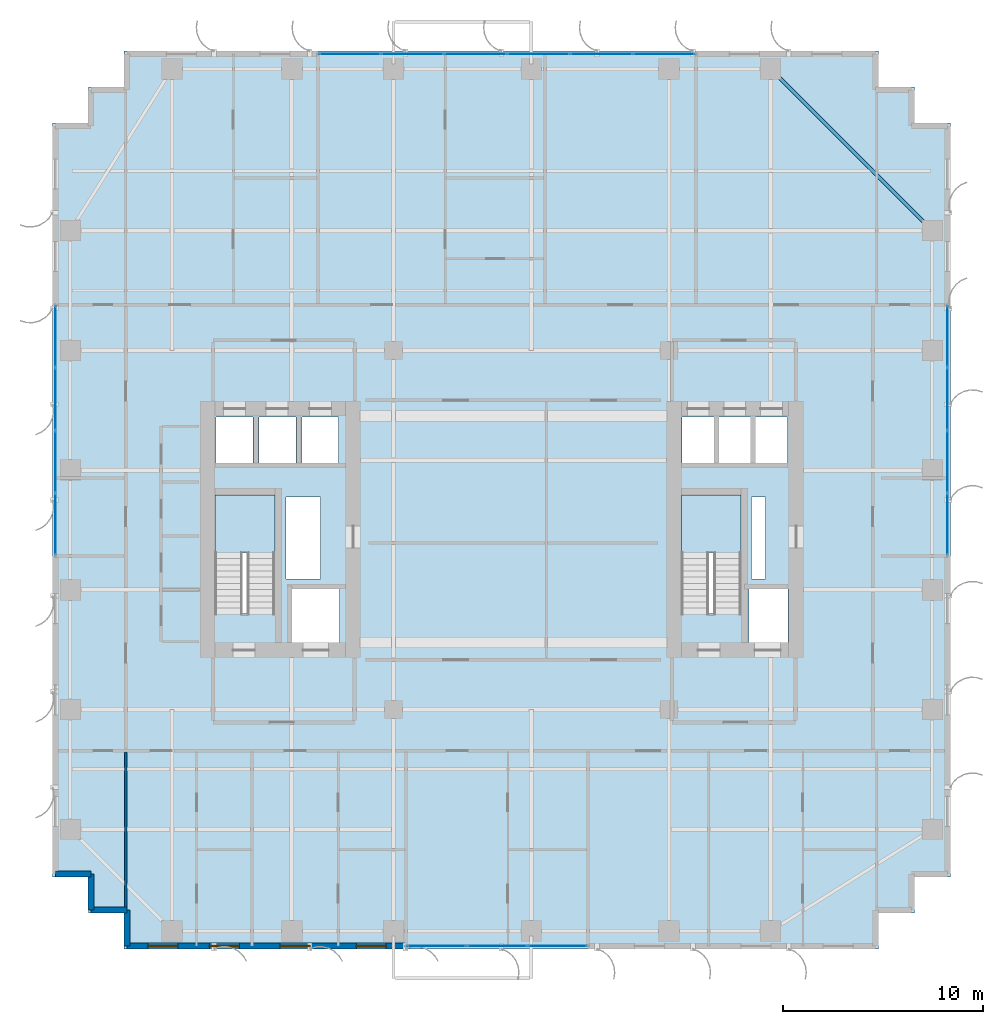
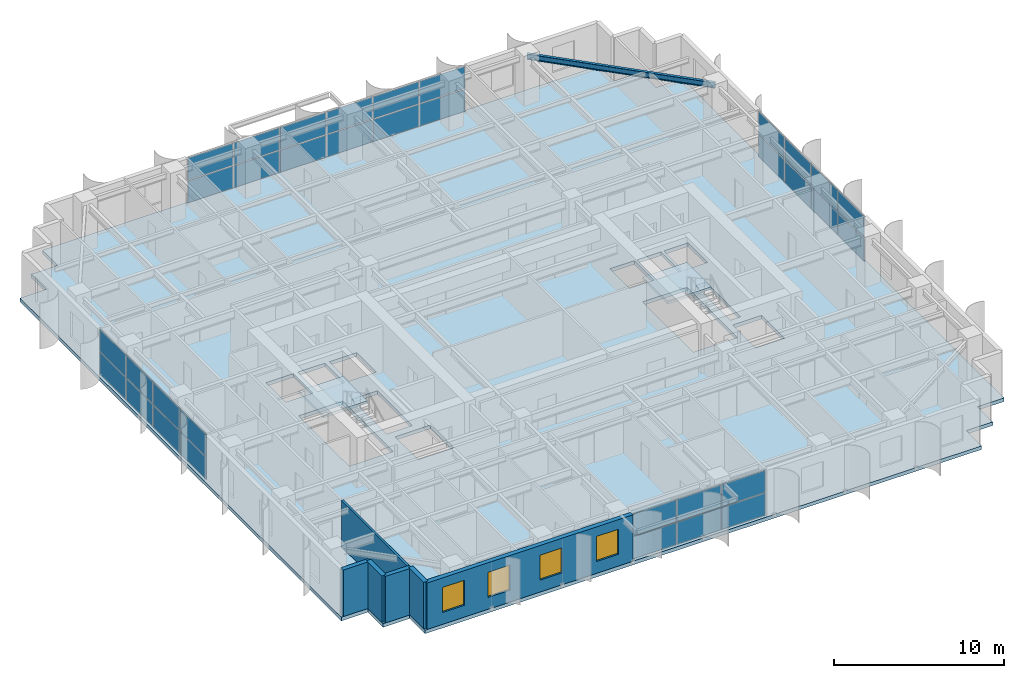
# One storey, part 17 of 25: 34 plates, 6 walls, 4 windows, 3 slabs, 1 beam, 4 openings, 6 elements without a shape of their own.
"""IFC4 building model written with IfcOpenShell, lengths in metres."""

from ifc_helpers import new_model, si_unit, direction, frame, frame_2d, origin, origin_2d, place, context, subcontext, project, spatial, polyline, rectangle, i_section, outline, extrude, source, transform, mapped, material, layer, layer_set, material_profile, profile_set, type_object, element, fill, aggregate, save


model = new_model("IFC4")

# Units and contexts
model_context = context("Model", 3, precision=1e-05, world=origin(), true_north=direction((0.0, 1.0)))
body_context = subcontext(model_context, "Body", "Model", "MODEL_VIEW")
ifc_project = project(units=[si_unit("LENGTHUNIT", "METRE"), si_unit("AREAUNIT", "SQUARE_METRE"), si_unit("VOLUMEUNIT", "CUBIC_METRE"), si_unit("PLANEANGLEUNIT", "RADIAN"), si_unit("MASSUNIT", "GRAM", prefix="KILO")], contexts=[model_context])

# Site, building, storey
site_placement = place(None, origin())
site = spatial("IfcSite", under=ifc_project, at=site_placement, CompositionType="ELEMENT")
building_placement = place(site_placement, origin())
building = spatial("IfcBuilding", under=site, at=building_placement, Name="Khoralis Quay Care Tower", CompositionType="ELEMENT")
storey_placement = place(building_placement, frame((0.0, 0.0, 134.10009765625)))
storey = spatial("IfcBuildingStorey", under=building, at=storey_placement, Name="L35", CompositionType="ELEMENT", Elevation=134.10009765625)

# Beam
ifc_material_1 = material(Name="Steel S355", Category="steel")
ifc_material_profile = material_profile(ifc_material_1, i_section(OverallWidth=0.179931640625, OverallDepth=0.39990234375, WebThickness=0.008544921875, FlangeThickness=0.013427734375, FilletRadius=0.02099609375, at=origin_2d()), Name="Steel S355")
ifc_profile_set = profile_set([ifc_material_profile], Name="Steel S355")
beam_type = type_object("IfcBeamType", Name="BM-IPE400", PredefinedType="SPANDREL", material=ifc_profile_set)
shared_shape_1 = source(origin(), body_context, "Body", "SweptSolid", [
    extrude(i_section(OverallWidth=0.179931640625, OverallDepth=0.39990234375, WebThickness=0.008544921875, FlangeThickness=0.013427734375, FilletRadius=0.02099609375, at=origin_2d()), origin(), (0.0, 0.0, 1.0), 11.455322265625),
])
beam_placement = place(storey_placement, frame((36.0, 44.10009765625, 3.139892578125), z_axis=(0.707106781187, -0.707106781187, 0.0), x_axis=(0.707106781187, 0.707106781187, 0.0)))
element("IfcBeam", 1, at=beam_placement, inside=storey, type_object=beam_type, Name="BM-TCR-L35-24", PredefinedType="SPANDREL", context=body_context, shape_type="MappedRepresentation", body=[
    mapped(shared_shape_1, transform((0.0, 0.0, 0.0), scale=1.0)),
])

# Stair, slab
ifc_material_2 = material(Name="Precast concrete C45/55", Category="concrete")
stair_type = type_object("IfcStairType", Name="ST-TWR-DOGLEG-1400", PredefinedType="HALF_TURN_STAIR", material=ifc_material_2)
stair_1_placement = place(storey_placement, origin())
stair_1 = element("IfcStair", 2, at=stair_1_placement, inside=storey, type_object=stair_type, Name="L35 West Core Exit Stair ST-T1", PredefinedType="HALF_TURN_STAIR")
ifc_layer_1 = layer(ifc_material_2, 0.199951171875)
ifc_layer_set_1 = layer_set([ifc_layer_1], Name="Precast concrete C45/55")
slab_type_1 = type_object("IfcSlabType", Name="SLB-LANDING-200", PredefinedType="LANDING", material=ifc_layer_set_1)
slab_1_placement = place(storey_placement, frame((0.0, 0.0, 1.599853515625)))
slab_1 = element("IfcSlab", 3, at=slab_1_placement, type_object=slab_type_1, Name="ST-T1 landing 1", PredefinedType="LANDING", context=body_context, shape_type="SweptSolid", body=[
    extrude(outline(polyline([(11.14990234375, 19.840087890625), (11.14990234375, 22.75), (8.14990234375, 22.75), (8.14990234375, 19.840087890625), (11.14990234375, 19.840087890625)])), origin(), (0.0, 0.0, 1.0), 0.199951171875),
])
aggregate(stair_1, [slab_1])

stair_2_placement = place(storey_placement, origin())
stair_2 = element("IfcStair", 4, at=stair_2_placement, inside=storey, type_object=stair_type, Name="L35 East Core Exit Stair ST-T2", PredefinedType="HALF_TURN_STAIR")
slab_2_placement = place(storey_placement, frame((0.0, 0.0, 1.599853515625)))
slab_2 = element("IfcSlab", 5, at=slab_2_placement, type_object=slab_type_1, Name="ST-T2 landing 1", PredefinedType="LANDING", context=body_context, shape_type="SweptSolid", body=[
    extrude(outline(polyline([(34.52001953125, 19.840087890625), (34.52001953125, 22.75), (31.52001953125, 22.75), (31.52001953125, 19.840087890625), (34.52001953125, 19.840087890625)])), origin(), (0.0, 0.0, 1.0), 0.199951171875),
])
aggregate(stair_2, [slab_2])

# Slab
ifc_material_3 = material(Name="Concrete C40/50", Category="concrete")
ifc_layer_2 = layer(ifc_material_3, 0.260009765625)
ifc_layer_set_2 = layer_set([ifc_layer_2], Name="Concrete C40/50")
slab_type_2 = type_object("IfcSlabType", Name="SLB-TWR-260", PredefinedType="FLOOR", material=ifc_layer_set_2)
slab_3_placement = place(storey_placement, frame((0.0, 0.0, -0.260009765625)))
element("IfcSlab", 6, at=slab_3_placement, inside=storey, type_object=slab_type_2, Name="Tower Floor Slab L35", PredefinedType="FLOOR", context=body_context, shape_type="SweptSolid", body=[
    extrude(outline(polyline([(3.60009765625, 0.0), (41.39990234375, 0.0), (41.39990234375, 1.800048828125), (43.199951171875, 1.800048828125), (43.199951171875, 3.60009765625), (45.0, 3.60009765625), (45.0, 41.39990234375), (43.199951171875, 41.39990234375), (43.199951171875, 43.199951171875), (41.39990234375, 43.199951171875), (41.39990234375, 45.0), (3.60009765625, 45.0), (3.60009765625, 43.199951171875), (1.800048828125, 43.199951171875), (1.800048828125, 41.39990234375), (0.0, 41.39990234375), (0.0, 3.60009765625), (1.800048828125, 3.60009765625), (1.800048828125, 1.800048828125), (3.60009765625, 1.800048828125), (3.60009765625, 0.0)]), holes=[polyline([(11.14990234375, 16.800048828125), (11.14990234375, 22.75), (8.14990234375, 22.75), (8.14990234375, 16.800048828125), (11.14990234375, 16.800048828125)]), polyline([(34.52001953125, 16.800048828125), (34.52001953125, 22.75), (31.52001953125, 22.75), (31.52001953125, 16.800048828125), (34.52001953125, 16.800048828125)]), polyline([(12.0, 15.35009765625), (14.39990234375, 15.35009765625), (14.39990234375, 18.050048828125), (12.0, 18.050048828125), (12.0, 15.35009765625)]), polyline([(34.919921875, 15.35009765625), (36.8798828125, 15.35009765625), (36.8798828125, 18.050048828125), (34.919921875, 18.050048828125), (34.919921875, 15.35009765625)]), polyline([(8.199951171875, 24.35009765625), (10.050048828125, 24.35009765625), (10.050048828125, 26.64990234375), (8.199951171875, 26.64990234375), (8.199951171875, 24.35009765625)]), polyline([(31.550048828125, 24.35009765625), (33.199951171875, 24.35009765625), (33.199951171875, 26.64990234375), (31.550048828125, 26.64990234375), (31.550048828125, 24.35009765625)]), polyline([(10.35009765625, 24.35009765625), (12.199951171875, 24.35009765625), (12.199951171875, 26.64990234375), (10.35009765625, 26.64990234375), (10.35009765625, 24.35009765625)]), polyline([(33.3798828125, 24.35009765625), (35.030029296875, 24.35009765625), (35.030029296875, 26.64990234375), (33.3798828125, 26.64990234375), (33.3798828125, 24.35009765625)]), polyline([(12.5, 24.35009765625), (14.35009765625, 24.35009765625), (14.35009765625, 26.64990234375), (12.5, 26.64990234375), (12.5, 24.35009765625)]), polyline([(35.199951171875, 24.35009765625), (36.85009765625, 24.35009765625), (36.85009765625, 26.64990234375), (35.199951171875, 26.64990234375), (35.199951171875, 24.35009765625)]), polyline([(11.719970703125, 18.550048828125), (13.449951171875, 18.550048828125), (13.449951171875, 22.64990234375), (11.719970703125, 22.64990234375), (11.719970703125, 18.550048828125)]), polyline([(35.050048828125, 18.550048828125), (35.75, 18.550048828125), (35.75, 22.64990234375), (35.050048828125, 22.64990234375), (35.050048828125, 18.550048828125)])]), origin(), (0.0, 0.0, 1.0), 0.260009765625),
])

# Curtain wall, plates
ifc_material_4 = material(Name="Pale anodised aluminium", Category="aluminium")
ifc_layer_3 = layer(ifc_material_4, 0.169921875)
ifc_layer_set_3 = layer_set([ifc_layer_3], Name="Pale anodised aluminium")
curtain_wall_type = type_object("IfcCurtainWallType", Name="CW-SYS-Z2", PredefinedType="NOTDEFINED", material=ifc_layer_set_3)
curtain_wall_1_placement = place(storey_placement, origin())
curtain_wall_1 = element("IfcCurtainWall", 7, at=curtain_wall_1_placement, inside=storey, type_object=curtain_wall_type, Name="L35 Unitised Curtain Wall CW-L35-P1-E5", PredefinedType="NOTDEFINED")
ifc_material_5 = material(Name="Low-E solar-control double glazing", Category="glass")
ifc_layer_4 = layer(ifc_material_5, 0.031982421875)
ifc_layer_set_4 = layer_set([ifc_layer_4], Name="Low-E solar-control double glazing")
plate_type = type_object("IfcPlateType", Name="PNL-VIS-32", PredefinedType="CURTAIN_PANEL", material=ifc_layer_set_4)
shared_shape_2 = source(origin(), body_context, "Body", "SweptSolid", [
    extrude(rectangle(XDim=3.054931640625, YDim=0.028076171875, at=origin_2d()), origin(), (0.0, 0.0, 1.0), 1.580078125),
])
plate_1_placement = place(storey_placement, frame((44.85009765625, 21.28759765625, 0.059814453125), z_axis=(0.0, 0.0, 1.0), x_axis=(0.0, 1.0, 0.0)))
plate_1 = element("IfcPlate", 8, at=plate_1_placement, type_object=plate_type, Name="CW2 panel 1.1", PredefinedType="CURTAIN_PANEL", context=body_context, shape_type="MappedRepresentation", body=[
    mapped(shared_shape_2, transform((0.0, 0.0, 0.0), scale=1.0)),
])
plate_2_placement = place(storey_placement, frame((44.85009765625, 21.28759765625, 1.699951171875), z_axis=(0.0, 0.0, 1.0), x_axis=(0.0, 1.0, 0.0)))
plate_2 = element("IfcPlate", 9, at=plate_2_placement, type_object=plate_type, Name="CW2 panel 1.2", PredefinedType="CURTAIN_PANEL", context=body_context, shape_type="MappedRepresentation", body=[
    mapped(shared_shape_2, transform((0.0, 0.0, 0.0), scale=1.0)),
])
plate_3_placement = place(storey_placement, frame((44.85009765625, 30.6923828125, 0.059814453125), z_axis=(0.0, 0.0, 1.0), x_axis=(0.0, 1.0, 0.0)))
plate_3 = element("IfcPlate", 10, at=plate_3_placement, type_object=plate_type, Name="CW2 panel 4.1", PredefinedType="CURTAIN_PANEL", context=body_context, shape_type="MappedRepresentation", body=[
    mapped(shared_shape_2, transform((0.0, 0.0, 0.0), scale=1.0)),
])
plate_4_placement = place(storey_placement, frame((44.85009765625, 30.6923828125, 1.699951171875), z_axis=(0.0, 0.0, 1.0), x_axis=(0.0, 1.0, 0.0)))
plate_4 = element("IfcPlate", 11, at=plate_4_placement, type_object=plate_type, Name="CW2 panel 4.2", PredefinedType="CURTAIN_PANEL", context=body_context, shape_type="MappedRepresentation", body=[
    mapped(shared_shape_2, transform((0.0, 0.0, 0.0), scale=1.0)),
])

curtain_wall_2_placement = place(storey_placement, origin())
curtain_wall_2 = element("IfcCurtainWall", 12, at=curtain_wall_2_placement, inside=storey, type_object=curtain_wall_type, Name="L35 Unitised Curtain Wall CW-L35-P1-E15", PredefinedType="NOTDEFINED")
plate_5_placement = place(storey_placement, frame((0.14990234375, 30.6923828125, 0.059814453125), z_axis=(0.0, 0.0, 1.0), x_axis=(0.0, -1.0, 0.0)))
plate_5 = element("IfcPlate", 13, at=plate_5_placement, type_object=plate_type, Name="CW2 panel 1.1", PredefinedType="CURTAIN_PANEL", context=body_context, shape_type="MappedRepresentation", body=[
    mapped(shared_shape_2, transform((0.0, 0.0, 0.0), scale=1.0)),
])
plate_6_placement = place(storey_placement, frame((0.14990234375, 30.6923828125, 1.699951171875), z_axis=(0.0, 0.0, 1.0), x_axis=(0.0, -1.0, 0.0)))
plate_6 = element("IfcPlate", 14, at=plate_6_placement, type_object=plate_type, Name="CW2 panel 1.2", PredefinedType="CURTAIN_PANEL", context=body_context, shape_type="MappedRepresentation", body=[
    mapped(shared_shape_2, transform((0.0, 0.0, 0.0), scale=1.0)),
])
plate_7_placement = place(storey_placement, frame((0.14990234375, 21.28759765625, 0.059814453125), z_axis=(0.0, 0.0, 1.0), x_axis=(0.0, -1.0, 0.0)))
plate_7 = element("IfcPlate", 15, at=plate_7_placement, type_object=plate_type, Name="CW2 panel 4.1", PredefinedType="CURTAIN_PANEL", context=body_context, shape_type="MappedRepresentation", body=[
    mapped(shared_shape_2, transform((0.0, 0.0, 0.0), scale=1.0)),
])
plate_8_placement = place(storey_placement, frame((0.14990234375, 21.28759765625, 1.699951171875), z_axis=(0.0, 0.0, 1.0), x_axis=(0.0, -1.0, 0.0)))
plate_8 = element("IfcPlate", 16, at=plate_8_placement, type_object=plate_type, Name="CW2 panel 4.2", PredefinedType="CURTAIN_PANEL", context=body_context, shape_type="MappedRepresentation", body=[
    mapped(shared_shape_2, transform((0.0, 0.0, 0.0), scale=1.0)),
])

# Plate
shared_shape_3 = source(origin(), body_context, "Body", "SweptSolid", [
    extrude(rectangle(XDim=3.0849609375, YDim=0.028076171875, at=origin_2d()), origin(), (0.0, 0.0, 1.0), 1.580078125),
])
plate_9_placement = place(storey_placement, frame((44.85009765625, 24.41748046875, 0.059814453125), z_axis=(0.0, 0.0, 1.0), x_axis=(0.0, 1.0, 0.0)))
plate_9 = element("IfcPlate", 17, at=plate_9_placement, type_object=plate_type, Name="CW2 panel 2.1", PredefinedType="CURTAIN_PANEL", context=body_context, shape_type="MappedRepresentation", body=[
    mapped(shared_shape_3, transform((0.0, 0.0, 0.0), scale=1.0)),
])

plate_10_placement = place(storey_placement, frame((44.85009765625, 24.41748046875, 1.699951171875), z_axis=(0.0, 0.0, 1.0), x_axis=(0.0, 1.0, 0.0)))
plate_10 = element("IfcPlate", 18, at=plate_10_placement, type_object=plate_type, Name="CW2 panel 2.2", PredefinedType="CURTAIN_PANEL", context=body_context, shape_type="MappedRepresentation", body=[
    mapped(shared_shape_3, transform((0.0, 0.0, 0.0), scale=1.0)),
])

plate_11_placement = place(storey_placement, frame((44.85009765625, 27.5625, 0.059814453125), z_axis=(0.0, 0.0, 1.0), x_axis=(0.0, 1.0, 0.0)))
plate_11 = element("IfcPlate", 19, at=plate_11_placement, type_object=plate_type, Name="CW2 panel 3.1", PredefinedType="CURTAIN_PANEL", context=body_context, shape_type="MappedRepresentation", body=[
    mapped(shared_shape_3, transform((0.0, 0.0, 0.0), scale=1.0)),
])

plate_12_placement = place(storey_placement, frame((44.85009765625, 27.5625, 1.699951171875), z_axis=(0.0, 0.0, 1.0), x_axis=(0.0, 1.0, 0.0)))
plate_12 = element("IfcPlate", 20, at=plate_12_placement, type_object=plate_type, Name="CW2 panel 3.2", PredefinedType="CURTAIN_PANEL", context=body_context, shape_type="MappedRepresentation", body=[
    mapped(shared_shape_3, transform((0.0, 0.0, 0.0), scale=1.0)),
])

aggregate(curtain_wall_1, [plate_1, plate_2, plate_9, plate_10, plate_11, plate_12, plate_3, plate_4])

plate_13_placement = place(storey_placement, frame((0.14990234375, 27.5625, 0.059814453125), z_axis=(0.0, 0.0, 1.0), x_axis=(0.0, -1.0, 0.0)))
plate_13 = element("IfcPlate", 21, at=plate_13_placement, type_object=plate_type, Name="CW2 panel 2.1", PredefinedType="CURTAIN_PANEL", context=body_context, shape_type="MappedRepresentation", body=[
    mapped(shared_shape_3, transform((0.0, 0.0, 0.0), scale=1.0)),
])

plate_14_placement = place(storey_placement, frame((0.14990234375, 27.5625, 1.699951171875), z_axis=(0.0, 0.0, 1.0), x_axis=(0.0, -1.0, 0.0)))
plate_14 = element("IfcPlate", 22, at=plate_14_placement, type_object=plate_type, Name="CW2 panel 2.2", PredefinedType="CURTAIN_PANEL", context=body_context, shape_type="MappedRepresentation", body=[
    mapped(shared_shape_3, transform((0.0, 0.0, 0.0), scale=1.0)),
])

plate_15_placement = place(storey_placement, frame((0.14990234375, 24.41748046875, 0.059814453125), z_axis=(0.0, 0.0, 1.0), x_axis=(0.0, -1.0, 0.0)))
plate_15 = element("IfcPlate", 23, at=plate_15_placement, type_object=plate_type, Name="CW2 panel 3.1", PredefinedType="CURTAIN_PANEL", context=body_context, shape_type="MappedRepresentation", body=[
    mapped(shared_shape_3, transform((0.0, 0.0, 0.0), scale=1.0)),
])

plate_16_placement = place(storey_placement, frame((0.14990234375, 24.41748046875, 1.699951171875), z_axis=(0.0, 0.0, 1.0), x_axis=(0.0, -1.0, 0.0)))
plate_16 = element("IfcPlate", 24, at=plate_16_placement, type_object=plate_type, Name="CW2 panel 3.2", PredefinedType="CURTAIN_PANEL", context=body_context, shape_type="MappedRepresentation", body=[
    mapped(shared_shape_3, transform((0.0, 0.0, 0.0), scale=1.0)),
])

aggregate(curtain_wall_2, [plate_5, plate_6, plate_13, plate_14, plate_15, plate_16, plate_7, plate_8])

# Curtain wall, plates
curtain_wall_3_placement = place(storey_placement, origin())
curtain_wall_3 = element("IfcCurtainWall", 25, at=curtain_wall_3_placement, inside=storey, type_object=curtain_wall_type, Name="L35 Unitised Curtain Wall CW-L35-P1-E0", PredefinedType="NOTDEFINED")
shared_shape_4 = source(origin(), body_context, "Body", "SweptSolid", [
    extrude(rectangle(XDim=2.94677734375, YDim=0.028076171875, at=origin_2d()), origin(), (0.0, 0.0, 1.0), 1.580078125),
])
plate_17_placement = place(storey_placement, frame((19.263427734375, 0.14990234375, 0.059814453125), z_axis=(0.0, 0.0, 1.0), x_axis=(1.0, 0.0, 0.0)))
plate_17 = element("IfcPlate", 26, at=plate_17_placement, type_object=plate_type, Name="CW2 panel 1.1", PredefinedType="CURTAIN_PANEL", context=body_context, shape_type="MappedRepresentation", body=[
    mapped(shared_shape_4, transform((0.0, 0.0, 0.0), scale=1.0)),
])
plate_18_placement = place(storey_placement, frame((19.263427734375, 0.14990234375, 1.699951171875), z_axis=(0.0, 0.0, 1.0), x_axis=(1.0, 0.0, 0.0)))
plate_18 = element("IfcPlate", 27, at=plate_18_placement, type_object=plate_type, Name="CW2 panel 1.2", PredefinedType="CURTAIN_PANEL", context=body_context, shape_type="MappedRepresentation", body=[
    mapped(shared_shape_4, transform((0.0, 0.0, 0.0), scale=1.0)),
])
plate_19_placement = place(storey_placement, frame((25.306640625, 0.14990234375, 0.059814453125), z_axis=(0.0, 0.0, 1.0), x_axis=(1.0, 0.0, 0.0)))
plate_19 = element("IfcPlate", 28, at=plate_19_placement, type_object=plate_type, Name="CW2 panel 3.1", PredefinedType="CURTAIN_PANEL", context=body_context, shape_type="MappedRepresentation", body=[
    mapped(shared_shape_4, transform((0.0, 0.0, 0.0), scale=1.0)),
])
plate_20_placement = place(storey_placement, frame((25.306640625, 0.14990234375, 1.699951171875), z_axis=(0.0, 0.0, 1.0), x_axis=(1.0, 0.0, 0.0)))
plate_20 = element("IfcPlate", 29, at=plate_20_placement, type_object=plate_type, Name="CW2 panel 3.2", PredefinedType="CURTAIN_PANEL", context=body_context, shape_type="MappedRepresentation", body=[
    mapped(shared_shape_4, transform((0.0, 0.0, 0.0), scale=1.0)),
])
shared_shape_5 = source(origin(), body_context, "Body", "SweptSolid", [
    extrude(rectangle(XDim=2.9765625, YDim=0.028076171875, at=origin_2d()), origin(), (0.0, 0.0, 1.0), 1.580078125),
])
plate_21_placement = place(storey_placement, frame((22.284912109375, 0.14990234375, 0.059814453125), z_axis=(0.0, 0.0, 1.0), x_axis=(1.0, 0.0, 0.0)))
plate_21 = element("IfcPlate", 30, at=plate_21_placement, type_object=plate_type, Name="CW2 panel 2.1", PredefinedType="CURTAIN_PANEL", context=body_context, shape_type="MappedRepresentation", body=[
    mapped(shared_shape_5, transform((0.0, 0.0, 0.0), scale=1.0)),
])
plate_22_placement = place(storey_placement, frame((22.284912109375, 0.14990234375, 1.699951171875), z_axis=(0.0, 0.0, 1.0), x_axis=(1.0, 0.0, 0.0)))
plate_22 = element("IfcPlate", 31, at=plate_22_placement, type_object=plate_type, Name="CW2 panel 2.2", PredefinedType="CURTAIN_PANEL", context=body_context, shape_type="MappedRepresentation", body=[
    mapped(shared_shape_5, transform((0.0, 0.0, 0.0), scale=1.0)),
])
aggregate(curtain_wall_3, [plate_17, plate_18, plate_21, plate_22, plate_19, plate_20])

curtain_wall_4_placement = place(storey_placement, origin())
curtain_wall_4 = element("IfcCurtainWall", 32, at=curtain_wall_4_placement, inside=storey, type_object=curtain_wall_type, Name="L35 Unitised Curtain Wall CW-L35-P1-E10", PredefinedType="NOTDEFINED")
shared_shape_6 = source(origin(), body_context, "Body", "SweptSolid", [
    extrude(rectangle(XDim=3.06494140625, YDim=0.028076171875, at=origin_2d()), origin(), (0.0, 0.0, 1.0), 1.580078125),
])
plate_23_placement = place(storey_placement, frame((30.657470703125, 44.85009765625, 0.059814453125), z_axis=(0.0, 0.0, 1.0), x_axis=(-1.0, 0.0, 0.0)))
plate_23 = element("IfcPlate", 33, at=plate_23_placement, type_object=plate_type, Name="CW2 panel 1.1", PredefinedType="CURTAIN_PANEL", context=body_context, shape_type="MappedRepresentation", body=[
    mapped(shared_shape_6, transform((0.0, 0.0, 0.0), scale=1.0)),
])
plate_24_placement = place(storey_placement, frame((30.657470703125, 44.85009765625, 1.699951171875), z_axis=(0.0, 0.0, 1.0), x_axis=(-1.0, 0.0, 0.0)))
plate_24 = element("IfcPlate", 34, at=plate_24_placement, type_object=plate_type, Name="CW2 panel 1.2", PredefinedType="CURTAIN_PANEL", context=body_context, shape_type="MappedRepresentation", body=[
    mapped(shared_shape_6, transform((0.0, 0.0, 0.0), scale=1.0)),
])
plate_25_placement = place(storey_placement, frame((14.91259765625, 44.85009765625, 0.059814453125), z_axis=(0.0, 0.0, 1.0), x_axis=(-1.0, 0.0, 0.0)))
plate_25 = element("IfcPlate", 35, at=plate_25_placement, type_object=plate_type, Name="CW2 panel 6.1", PredefinedType="CURTAIN_PANEL", context=body_context, shape_type="MappedRepresentation", body=[
    mapped(shared_shape_6, transform((0.0, 0.0, 0.0), scale=1.0)),
])
plate_26_placement = place(storey_placement, frame((14.91259765625, 44.85009765625, 1.699951171875), z_axis=(0.0, 0.0, 1.0), x_axis=(-1.0, 0.0, 0.0)))
plate_26 = element("IfcPlate", 36, at=plate_26_placement, type_object=plate_type, Name="CW2 panel 6.2", PredefinedType="CURTAIN_PANEL", context=body_context, shape_type="MappedRepresentation", body=[
    mapped(shared_shape_6, transform((0.0, 0.0, 0.0), scale=1.0)),
])
shared_shape_7 = source(origin(), body_context, "Body", "SweptSolid", [
    extrude(rectangle(XDim=3.094970703125, YDim=0.028076171875, at=origin_2d()), origin(), (0.0, 0.0, 1.0), 1.580078125),
])
plate_27_placement = place(storey_placement, frame((27.517578125, 44.85009765625, 0.059814453125), z_axis=(0.0, 0.0, 1.0), x_axis=(-1.0, 0.0, 0.0)))
plate_27 = element("IfcPlate", 37, at=plate_27_placement, type_object=plate_type, Name="CW2 panel 2.1", PredefinedType="CURTAIN_PANEL", context=body_context, shape_type="MappedRepresentation", body=[
    mapped(shared_shape_7, transform((0.0, 0.0, 0.0), scale=1.0)),
])
plate_28_placement = place(storey_placement, frame((27.517578125, 44.85009765625, 1.699951171875), z_axis=(0.0, 0.0, 1.0), x_axis=(-1.0, 0.0, 0.0)))
plate_28 = element("IfcPlate", 38, at=plate_28_placement, type_object=plate_type, Name="CW2 panel 2.2", PredefinedType="CURTAIN_PANEL", context=body_context, shape_type="MappedRepresentation", body=[
    mapped(shared_shape_7, transform((0.0, 0.0, 0.0), scale=1.0)),
])
plate_29_placement = place(storey_placement, frame((24.362548828125, 44.85009765625, 0.059814453125), z_axis=(0.0, 0.0, 1.0), x_axis=(-1.0, 0.0, 0.0)))
plate_29 = element("IfcPlate", 39, at=plate_29_placement, type_object=plate_type, Name="CW2 panel 3.1", PredefinedType="CURTAIN_PANEL", context=body_context, shape_type="MappedRepresentation", body=[
    mapped(shared_shape_7, transform((0.0, 0.0, 0.0), scale=1.0)),
])
plate_30_placement = place(storey_placement, frame((24.362548828125, 44.85009765625, 1.699951171875), z_axis=(0.0, 0.0, 1.0), x_axis=(-1.0, 0.0, 0.0)))
plate_30 = element("IfcPlate", 40, at=plate_30_placement, type_object=plate_type, Name="CW2 panel 3.2", PredefinedType="CURTAIN_PANEL", context=body_context, shape_type="MappedRepresentation", body=[
    mapped(shared_shape_7, transform((0.0, 0.0, 0.0), scale=1.0)),
])
plate_31_placement = place(storey_placement, frame((21.20751953125, 44.85009765625, 0.059814453125), z_axis=(0.0, 0.0, 1.0), x_axis=(-1.0, 0.0, 0.0)))
plate_31 = element("IfcPlate", 41, at=plate_31_placement, type_object=plate_type, Name="CW2 panel 4.1", PredefinedType="CURTAIN_PANEL", context=body_context, shape_type="MappedRepresentation", body=[
    mapped(shared_shape_7, transform((0.0, 0.0, 0.0), scale=1.0)),
])
plate_32_placement = place(storey_placement, frame((21.20751953125, 44.85009765625, 1.699951171875), z_axis=(0.0, 0.0, 1.0), x_axis=(-1.0, 0.0, 0.0)))
plate_32 = element("IfcPlate", 42, at=plate_32_placement, type_object=plate_type, Name="CW2 panel 4.2", PredefinedType="CURTAIN_PANEL", context=body_context, shape_type="MappedRepresentation", body=[
    mapped(shared_shape_7, transform((0.0, 0.0, 0.0), scale=1.0)),
])
plate_33_placement = place(storey_placement, frame((18.052490234375, 44.85009765625, 0.059814453125), z_axis=(0.0, 0.0, 1.0), x_axis=(-1.0, 0.0, 0.0)))
plate_33 = element("IfcPlate", 43, at=plate_33_placement, type_object=plate_type, Name="CW2 panel 5.1", PredefinedType="CURTAIN_PANEL", context=body_context, shape_type="MappedRepresentation", body=[
    mapped(shared_shape_7, transform((0.0, 0.0, 0.0), scale=1.0)),
])
plate_34_placement = place(storey_placement, frame((18.052490234375, 44.85009765625, 1.699951171875), z_axis=(0.0, 0.0, 1.0), x_axis=(-1.0, 0.0, 0.0)))
plate_34 = element("IfcPlate", 44, at=plate_34_placement, type_object=plate_type, Name="CW2 panel 5.2", PredefinedType="CURTAIN_PANEL", context=body_context, shape_type="MappedRepresentation", body=[
    mapped(shared_shape_7, transform((0.0, 0.0, 0.0), scale=1.0)),
])
aggregate(curtain_wall_4, [plate_23, plate_24, plate_27, plate_28, plate_29, plate_30, plate_31, plate_32, plate_33, plate_34, plate_25, plate_26])

# Wall, openings, windows
ifc_layer_5 = layer(ifc_material_2, 0.300048828125)
ifc_layer_set_5 = layer_set([ifc_layer_5], Name="Precast concrete C45/55")
wall_type_1 = type_object("IfcWallType", Name="WL-EXT-REF-300", PredefinedType="SOLIDWALL", material=ifc_layer_set_5)
wall_1_placement = place(storey_placement, frame((3.75, 0.14990234375, 0.0), z_axis=(0.0, 0.0, 1.0), x_axis=(1.0, 0.0, 0.0)))
wall_1 = element("IfcWall", 45, at=wall_1_placement, inside=storey, type_object=wall_type_1, Name="L35 External Facade Wall WL-EXT-L35-P1-E0A", PredefinedType="SOLIDWALL", context=body_context, shape_type="SweptSolid", body=[
    extrude(rectangle(XDim=13.97998046875, YDim=0.300048828125, at=frame_2d((6.989990234375, 0.0))), origin(), (0.0, 0.0, 1.0), 3.33984375),
])
opening_1_placement = place(wall_1_placement, frame((1.03759765625, 0.0, 0.85009765625)))
opening_1 = element("IfcOpeningElement", 46, at=opening_1_placement, cuts=wall_1, Name="Opening W3", PredefinedType="OPENING", context=body_context, shape_type="SweptSolid", body=[
    extrude(rectangle(XDim=1.5, YDim=1.800048828125, at=frame_2d((0.75, 0.89990234375))), frame((0.0, 0.16015625, 0.0), z_axis=(0.0, -1.0, 0.0), x_axis=(1.0, 0.0, 0.0)), (0.0, 0.0, 1.0), 0.320068359375),
])
opening_2_placement = place(wall_1_placement, frame((4.117431640625, 0.0, 0.85009765625)))
opening_2 = element("IfcOpeningElement", 47, at=opening_2_placement, cuts=wall_1, Name="Opening W3", PredefinedType="OPENING", context=body_context, shape_type="SweptSolid", body=[
    extrude(rectangle(XDim=1.5, YDim=1.800048828125, at=frame_2d((0.75, 0.89990234375))), frame((0.0, 0.16015625, 0.0), z_axis=(0.0, -1.0, 0.0), x_axis=(1.0, 0.0, 0.0)), (0.0, 0.0, 1.0), 0.320068359375),
])
opening_3_placement = place(wall_1_placement, frame((7.67138671875, 0.0, 0.85009765625)))
opening_3 = element("IfcOpeningElement", 48, at=opening_3_placement, cuts=wall_1, Name="Opening W3", PredefinedType="OPENING", context=body_context, shape_type="SweptSolid", body=[
    extrude(rectangle(XDim=1.5, YDim=1.800048828125, at=frame_2d((0.75, 0.89990234375))), frame((0.0, 0.16015625, 0.0), z_axis=(0.0, -1.0, 0.0), x_axis=(1.0, 0.0, 0.0)), (0.0, 0.0, 1.0), 0.320068359375),
])
opening_4_placement = place(wall_1_placement, frame((11.4814453125, 0.0, 0.85009765625)))
opening_4 = element("IfcOpeningElement", 49, at=opening_4_placement, cuts=wall_1, Name="Opening W3", PredefinedType="OPENING", context=body_context, shape_type="SweptSolid", body=[
    extrude(rectangle(XDim=1.5, YDim=1.800048828125, at=frame_2d((0.75, 0.89990234375))), frame((0.0, 0.16015625, 0.0), z_axis=(0.0, -1.0, 0.0), x_axis=(1.0, 0.0, 0.0)), (0.0, 0.0, 1.0), 0.320068359375),
])
window_type = type_object("IfcWindowType", Name="WN-CLIN-1500X1800", PartitioningType="SINGLE_PANEL", PredefinedType="WINDOW", material=ifc_material_5)
shared_shape_8 = source(origin(), body_context, "Body", "SweptSolid", [
    extrude(rectangle(XDim=1.5, YDim=1.800048828125, at=frame_2d((0.75, 0.89990234375))), frame((0.0, 0.030029296875, 0.0), z_axis=(0.0, -1.0, 0.0), x_axis=(1.0, 0.0, 0.0)), (0.0, 0.0, 1.0), 0.06005859375),
])
window_1_placement = place(opening_1_placement, origin())
window_1 = element("IfcWindow", 50, at=window_1_placement, inside=storey, type_object=window_type, Name="WN-L35-P1-E0A Facade Window 01", OverallHeight=1.800048828125, OverallWidth=1.5, PartitioningType="SINGLE_PANEL", PredefinedType="WINDOW", context=body_context, shape_type="MappedRepresentation", body=[
    mapped(shared_shape_8, transform((0.0, 0.0, 0.0), scale=1.0)),
])
fill(opening_1, window_1)
window_2_placement = place(opening_2_placement, origin())
window_2 = element("IfcWindow", 51, at=window_2_placement, inside=storey, type_object=window_type, Name="WN-L35-P1-E0A Facade Window 02", OverallHeight=1.800048828125, OverallWidth=1.5, PartitioningType="SINGLE_PANEL", PredefinedType="WINDOW", context=body_context, shape_type="MappedRepresentation", body=[
    mapped(shared_shape_8, transform((0.0, 0.0, 0.0), scale=1.0)),
])
fill(opening_2, window_2)
window_3_placement = place(opening_3_placement, origin())
window_3 = element("IfcWindow", 52, at=window_3_placement, inside=storey, type_object=window_type, Name="WN-L35-P1-E0A Facade Window 03", OverallHeight=1.800048828125, OverallWidth=1.5, PartitioningType="SINGLE_PANEL", PredefinedType="WINDOW", context=body_context, shape_type="MappedRepresentation", body=[
    mapped(shared_shape_8, transform((0.0, 0.0, 0.0), scale=1.0)),
])
fill(opening_3, window_3)
window_4_placement = place(opening_4_placement, origin())
window_4 = element("IfcWindow", 53, at=window_4_placement, inside=storey, type_object=window_type, Name="WN-L35-P1-E0A Facade Window 04", OverallHeight=1.800048828125, OverallWidth=1.5, PartitioningType="SINGLE_PANEL", PredefinedType="WINDOW", context=body_context, shape_type="MappedRepresentation", body=[
    mapped(shared_shape_8, transform((0.0, 0.0, 0.0), scale=1.0)),
])
fill(opening_4, window_4)

# Walls
for number, where, z_axis, x_axis, name in (
    (54, (0.14990234375, 3.75, 0.0), (0.0, 0.0, 1.0), (1.0, 0.0, 0.0), "L35 External Facade Wall WL-EXT-L35-P1-C16"),
    (55, (1.949951171875, 3.75, 0.0), (0.0, 0.0, 1.0), (0.0, -1.0, 0.0), "L35 External Facade Wall WL-EXT-L35-P1-C17"),
    (56, (1.949951171875, 1.949951171875, 0.0), (0.0, 0.0, 1.0), (1.0, 0.0, 0.0), "L35 External Facade Wall WL-EXT-L35-P1-C18"),
    (57, (3.75, 1.949951171875, 0.0), (0.0, 0.0, 1.0), (0.0, -1.0, 0.0), "L35 External Facade Wall WL-EXT-L35-P1-C19"),
):
    element("IfcWall", number, at=place(storey_placement, frame(where, z_axis=z_axis, x_axis=x_axis)), inside=storey, type_object=wall_type_1, Name=name, PredefinedType="SOLIDWALL", context=body_context, shape_type="SweptSolid", body=[
        extrude(rectangle(XDim=1.800048828125, YDim=0.300048828125, at=frame_2d((0.89990234375, 0.0))), origin(), (0.0, 0.0, 1.0), 3.33984375),
    ])
ifc_material_6 = material(Name="Gypsum plasterboard on acoustic metal stud")
ifc_layer_6 = layer(ifc_material_6, 0.139892578125)
ifc_layer_set_6 = layer_set([ifc_layer_6], Name="Gypsum plasterboard on acoustic metal stud")
wall_type_2 = type_object("IfcWallType", Name="WL-UNIT-140", PredefinedType="PARTITIONING", material=ifc_layer_set_6)
wall_2_placement = place(storey_placement, frame((3.679931640625, 1.945068359375, 0.0), z_axis=(0.0, 0.0, 1.0), x_axis=(0.0, 1.0, 0.0)))
element("IfcWall", 58, at=wall_2_placement, inside=storey, type_object=wall_type_2, Name="L35 SB Demising Wall 0", PredefinedType="PARTITIONING", context=body_context, shape_type="SweptSolid", body=[
    extrude(rectangle(XDim=7.91748046875, YDim=0.139892578125, at=frame_2d((3.958740234375, 0.0))), origin(), (0.0, 0.0, 1.0), 3.33984375),
])

save(model, "model.ifc")
